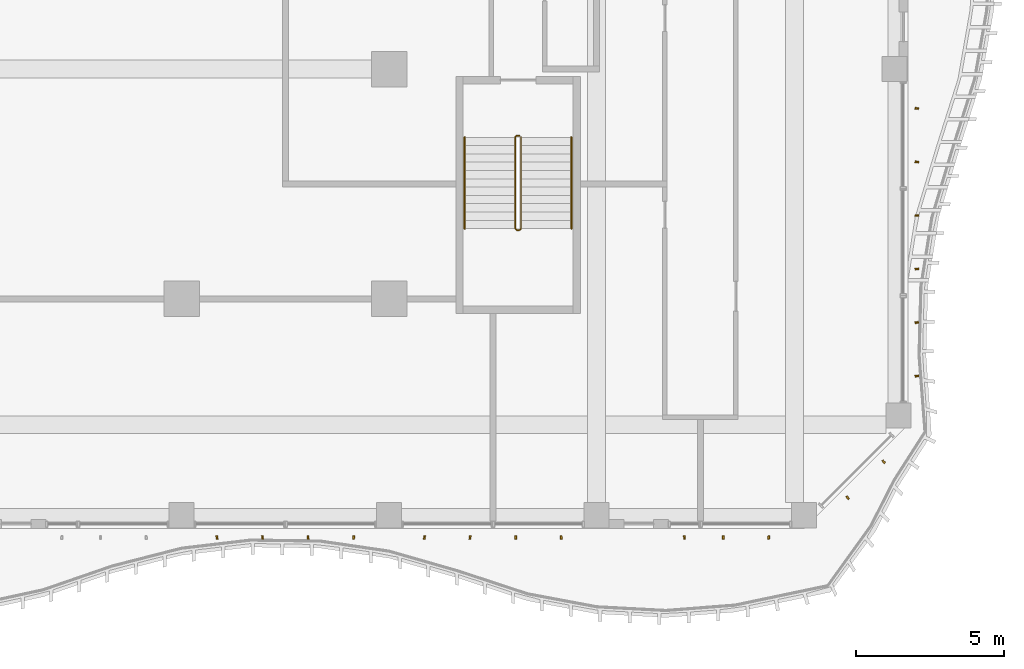
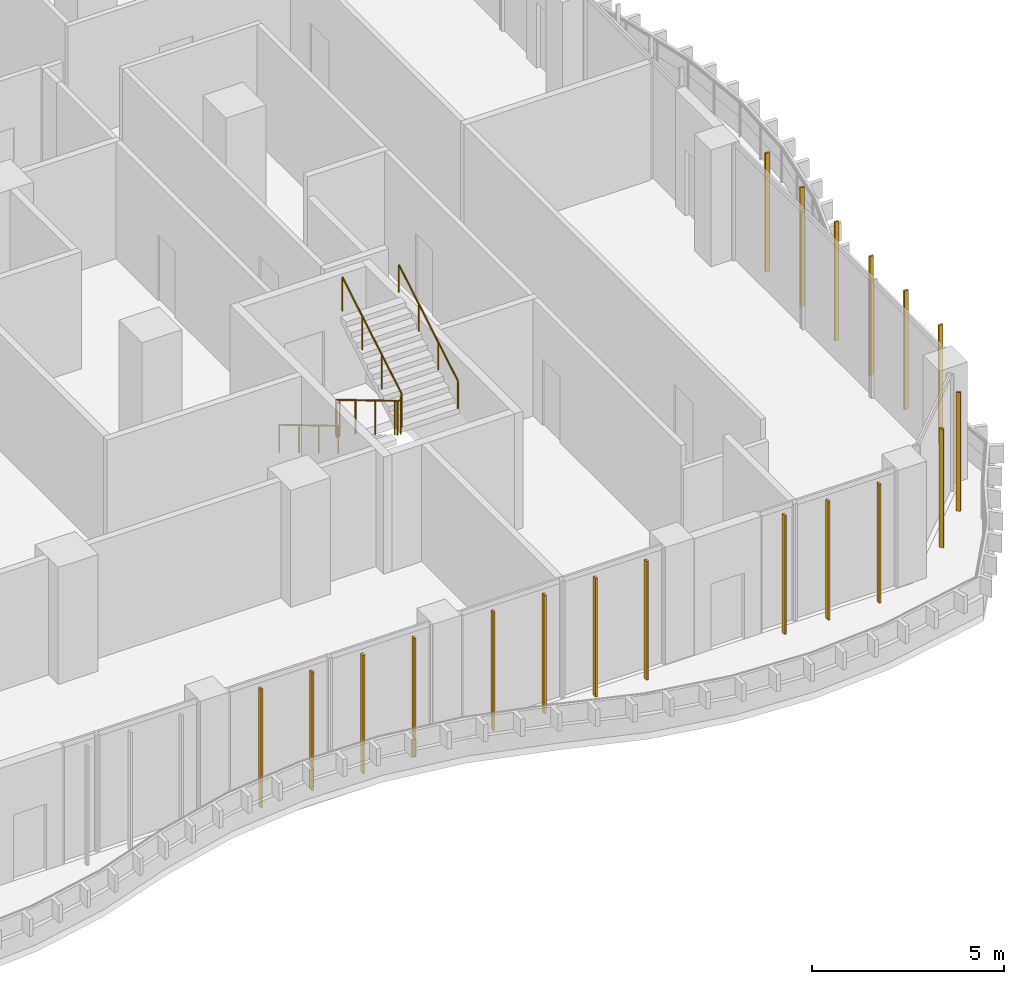
# One storey, part 22 of 25: 19 shading devices, 3 railings.
"""IFC4 building model written with IfcOpenShell, lengths in metres."""

from ifc_helpers import new_model, si_unit, direction, frame, origin, origin_2d, place, context, subcontext, project, spatial, rectangle, circle, extrude, source, transform, mapped, material, material_profile, profile_set, type_object, element, save


model = new_model("IFC4")

# Units and contexts
model_context = context("Model", 3, precision=1e-05, world=origin(), true_north=direction((0.0, 1.0)))
body_context = subcontext(model_context, "Body", "Model", "MODEL_VIEW")
ifc_project = project(units=[si_unit("LENGTHUNIT", "METRE"), si_unit("AREAUNIT", "SQUARE_METRE"), si_unit("VOLUMEUNIT", "CUBIC_METRE"), si_unit("PLANEANGLEUNIT", "RADIAN"), si_unit("MASSUNIT", "GRAM", prefix="KILO")], contexts=[model_context])

# Site, building, storey
site_placement = place(None, origin())
site = spatial("IfcSite", under=ifc_project, at=site_placement, CompositionType="ELEMENT")
building_placement = place(site_placement, origin())
building = spatial("IfcBuilding", under=site, at=building_placement, Name="Kilnfold Tower and Market Hall", CompositionType="ELEMENT")
storey_placement = place(building_placement, frame((0.0, 0.0, 120.60009765625)))
storey = spatial("IfcBuildingStorey", under=building, at=storey_placement, Name="L28", CompositionType="ELEMENT", Elevation=120.60009765625)

# Railings
ifc_material_1 = material(Name="Stainless steel 316", Category="steel")
railing_type_1 = type_object("IfcRailingType", Name="CORE STAIR GUARD 1100", PredefinedType="GUARDRAIL", material=ifc_material_1)
railing_1_placement = place(storey_placement, frame((19.89990234375, -9.75, 0.0)))
element("IfcRailing", 1, at=railing_1_placement, inside=storey, type_object=railing_type_1, Name="L28 ST4 stair guard 1", PredefinedType="GUARDRAIL", context=body_context, shape_type="SweptSolid", body=[
    extrude(circle(Radius=0.02392578125, at=origin_2d()), frame((0.0, 0.0, 1.076171875), z_axis=(-1.0, 0.0, 0.0), x_axis=(0.0, -1.0, 0.0)), (0.0, 0.0, 1.0), 0.099853515625),
    extrude(circle(Radius=0.02392578125, at=origin_2d()), frame((-0.099853515625, 0.0, 1.076171875), z_axis=(-0.27662974545, -0.27662974545, 0.920299933644), x_axis=(0.707106781187, -0.707106781187, 0.0)), (0.0, 0.0, 1.0), 0.180908203125),
    extrude(circle(Radius=0.02392578125, at=origin_2d()), frame((-0.14990234375, -0.050048828125, 1.24267578125), z_axis=(0.0, -0.859260807169, 0.511537745687), x_axis=(1.0, 0.0, 0.0)), (0.0, 0.0, 1.0), 3.584228515625),
    extrude(circle(Radius=0.02392578125, at=origin_2d()), frame((-0.14990234375, -3.1298828125, 3.076171875), z_axis=(0.707106781187, -0.707106781187, 0.0), x_axis=(0.707106781187, 0.707106781187, 0.0)), (0.0, 0.0, 1.0), 0.07080078125),
    extrude(circle(Radius=0.02392578125, at=origin_2d()), frame((-0.099853515625, -3.179931640625, 3.076171875), z_axis=(1.0, 0.0, 0.0), x_axis=(0.0, 1.0, 0.0)), (0.0, 0.0, 1.0), 0.099853515625),
    extrude(circle(Radius=0.02392578125, at=origin_2d()), frame((0.0, -3.179931640625, 3.076171875), z_axis=(0.27662974545, 0.27662974545, 0.920299933644), x_axis=(-0.707106781187, 0.707106781187, 0.0)), (0.0, 0.0, 1.0), 0.180908203125),
    extrude(circle(Radius=0.02392578125, at=origin_2d()), frame((0.050048828125, -3.1298828125, 3.24267578125), z_axis=(0.0, 0.859260807169, 0.511537745687), x_axis=(-1.0, 0.0, 0.0)), (0.0, 0.0, 1.0), 3.584228515625),
    extrude(circle(Radius=0.02099609375, at=origin_2d()), origin(), (0.0, 0.0, 1.0), 1.052001953125),
    extrude(circle(Radius=0.02099609375, at=origin_2d()), frame((-0.099853515625, 0.0, 0.0)), (0.0, 0.0, 1.0), 1.052001953125),
    extrude(circle(Radius=0.02099609375, at=origin_2d()), frame((-0.14990234375, -0.050048828125, 0.16650390625)), (0.0, 0.0, 1.0), 1.052001953125),
    extrude(circle(Radius=0.02099609375, at=origin_2d()), frame((-0.14990234375, -1.07666015625, 0.777587890625)), (0.0, 0.0, 1.0), 1.052001953125),
    extrude(circle(Radius=0.02099609375, at=origin_2d()), frame((-0.14990234375, -2.103271484375, 1.388916015625)), (0.0, 0.0, 1.0), 1.052001953125),
    extrude(circle(Radius=0.02099609375, at=origin_2d()), frame((-0.14990234375, -3.1298828125, 2.0)), (0.0, 0.0, 1.0), 1.052001953125),
    extrude(circle(Radius=0.02099609375, at=origin_2d()), frame((-0.099853515625, -3.179931640625, 2.0)), (0.0, 0.0, 1.0), 1.052001953125),
    extrude(circle(Radius=0.02099609375, at=origin_2d()), frame((0.0, -3.179931640625, 2.0)), (0.0, 0.0, 1.0), 1.052001953125),
    extrude(circle(Radius=0.02099609375, at=origin_2d()), frame((0.050048828125, -3.1298828125, 2.16650390625)), (0.0, 0.0, 1.0), 1.052001953125),
    extrude(circle(Radius=0.02099609375, at=origin_2d()), frame((0.050048828125, -2.103271484375, 2.777587890625)), (0.0, 0.0, 1.0), 1.052001953125),
    extrude(circle(Radius=0.02099609375, at=origin_2d()), frame((0.050048828125, -1.07666015625, 3.388916015625)), (0.0, 0.0, 1.0), 1.052001953125),
    extrude(circle(Radius=0.02099609375, at=origin_2d()), frame((0.050048828125, -0.050048828125, 4.0)), (0.0, 0.0, 1.0), 1.052001953125),
])
ifc_material_2 = material(Name="Stainless steel 316", Category="steel")
railing_type_2 = type_object("IfcRailingType", Name="CORE STAIR HANDRAIL 900", PredefinedType="HANDRAIL", material=ifc_material_2)
railing_2_placement = place(storey_placement, frame((18.050048828125, -9.800048828125, 0.16650390625)))
element("IfcRailing", 2, at=railing_2_placement, inside=storey, type_object=railing_type_2, Name="L28 ST4 stair handrail 1", PredefinedType="HANDRAIL", context=body_context, shape_type="SweptSolid", body=[
    extrude(circle(Radius=0.02392578125, at=origin_2d()), frame((0.0, 0.0, 0.8759765625), z_axis=(0.0, -0.859260807169, 0.511537745687), x_axis=(1.0, 0.0, 0.0)), (0.0, 0.0, 1.0), 3.584228515625),
    extrude(circle(Radius=0.02099609375, at=origin_2d()), origin(), (0.0, 0.0, 1.0), 0.851806640625),
    extrude(circle(Radius=0.02099609375, at=origin_2d()), frame((0.0, -1.026611328125, 0.611083984375)), (0.0, 0.0, 1.0), 0.851806640625),
    extrude(circle(Radius=0.02099609375, at=origin_2d()), frame((0.0, -2.05322265625, 1.222412109375)), (0.0, 0.0, 1.0), 0.851806640625),
    extrude(circle(Radius=0.02099609375, at=origin_2d()), frame((0.0, -3.079833984375, 1.83349609375)), (0.0, 0.0, 1.0), 0.851806640625),
])
railing_3_placement = place(storey_placement, frame((21.64990234375, -12.8798828125, 2.16650390625)))
element("IfcRailing", 3, at=railing_3_placement, inside=storey, type_object=railing_type_2, Name="L28 ST4 stair handrail 2", PredefinedType="HANDRAIL", context=body_context, shape_type="SweptSolid", body=[
    extrude(circle(Radius=0.02392578125, at=origin_2d()), frame((0.0, 0.0, 0.8759765625), z_axis=(0.0, 0.859260807169, 0.511537745687), x_axis=(-1.0, 0.0, 0.0)), (0.0, 0.0, 1.0), 3.584228515625),
    extrude(circle(Radius=0.02099609375, at=origin_2d()), origin(), (0.0, 0.0, 1.0), 0.851806640625),
    extrude(circle(Radius=0.02099609375, at=origin_2d()), frame((0.0, 1.026611328125, 0.611083984375)), (0.0, 0.0, 1.0), 0.851806640625),
    extrude(circle(Radius=0.02099609375, at=origin_2d()), frame((0.0, 2.05322265625, 1.222412109375)), (0.0, 0.0, 1.0), 0.851806640625),
    extrude(circle(Radius=0.02099609375, at=origin_2d()), frame((0.0, 3.079833984375, 1.83349609375)), (0.0, 0.0, 1.0), 0.851806640625),
])

# Shading devices
ifc_material_3 = material(Name="Terracotta", Category="masonry")
ifc_material_profile = material_profile(ifc_material_3, rectangle(XDim=0.06005859375, YDim=0.1201171875, at=origin_2d()), Name="BAG 60x120")
ifc_profile_set = profile_set([ifc_material_profile], Name="Terracotta")
shading_device_type = type_object("IfcShadingDeviceType", Name="BAGUETTE", PredefinedType="USERDEFINED", material=ifc_profile_set)
shared_shape = source(origin(), body_context, "Body", "SweptSolid", [
    extrude(rectangle(XDim=0.06005859375, YDim=0.1201171875, at=origin_2d()), origin(), (0.0, 0.0, 1.0), 3.77978515625),
])
for number, where, z_axis, x_axis, name in (
    (4, (9.69384765625, -23.300048828125, 0.0), (0.0, 0.0, 1.0), (0.9905109025, 0.137434173439, 0.0), "Terracotta baguette L28 S"),
    (5, (11.231201171875, -23.300048828125, 0.0), (0.0, 0.0, 1.0), (0.995745469951, 0.092146400207, 0.0), "Terracotta baguette L28 S"),
    (6, (12.768798828125, -23.300048828125, 0.0), (0.0, 0.0, 1.0), (0.999990033903, 0.004464537395, 0.0), "Terracotta baguette L28 S"),
    (7, (14.306396484375, -23.300048828125, 0.0), (0.0, 0.0, 1.0), (0.996356319849, -0.085288240082, 0.0), "Terracotta baguette L28 S"),
    (8, (16.693603515625, -23.300048828125, 0.0), (0.0, 0.0, 1.0), (0.9905109025, -0.137434173439, 0.0), "Terracotta baguette L28 S"),
    (9, (18.231201171875, -23.300048828125, 0.0), (0.0, 0.0, 1.0), (0.995745469951, -0.092146400207, 0.0), "Terracotta baguette L28 S"),
    (10, (19.768798828125, -23.300048828125, 0.0), (0.0, 0.0, 1.0), (0.999990033903, -0.004464537395, 0.0), "Terracotta baguette L28 S"),
    (11, (21.306396484375, -23.300048828125, 0.0), (0.0, 0.0, 1.0), (0.996356319849, 0.085288240082, 0.0), "Terracotta baguette L28 S"),
    (12, (25.46240234375, -23.300048828125, 0.0), (0.0, 0.0, 1.0), (0.996727303692, 0.080837380425, 0.0), "Terracotta baguette L28 S"),
    (13, (26.768798828125, -23.300048828125, 0.0), (0.0, 0.0, 1.0), (0.999990033903, 0.004464537395, 0.0), "Terracotta baguette L28 S"),
    (14, (28.306396484375, -23.300048828125, 0.0), (0.0, 0.0, 1.0), (0.996356319849, -0.085288240082, 0.0), "Terracotta baguette L28 S"),
    (15, (30.968505859375, -21.955810546875, 0.0), (0.0, 0.0, 1.0), (0.791261954783, 0.611477324938, 0.0), "Terracotta baguette L28 SE"),
    (16, (32.180908203125, -20.743408203125, 0.0), (0.0, 0.0, 1.0), (0.742839938693, 0.669469062379, 0.0), "Terracotta baguette L28 SE"),
    (17, (33.300048828125, -17.854248046875, 0.0), (0.0, 0.0, 1.0), (-0.118135340956, 0.992997503127, 0.0), "Terracotta baguette L28 E"),
    (18, (33.300048828125, -16.048828125, 0.0), (0.0, 0.0, 1.0), (-0.134814613051, 0.990870839266, 0.0), "Terracotta baguette L28 E"),
    (19, (33.300048828125, -14.243408203125, 0.0), (0.0, 0.0, 1.0), (-0.067970017119, 0.997687364244, 0.0), "Terracotta baguette L28 E"),
    (20, (33.300048828125, -12.438232421875, 0.0), (0.0, 0.0, 1.0), (0.04143272486, 0.999141295969, 0.0), "Terracotta baguette L28 E"),
    (21, (33.300048828125, -10.6328125, 0.0), (0.0, 0.0, 1.0), (0.124834526511, 0.992177575332, 0.0), "Terracotta baguette L28 E"),
    (22, (33.300048828125, -8.82763671875, 0.0), (0.0, 0.0, 1.0), (0.130737297781, 0.991417045934, 0.0), "Terracotta baguette L28 E"),
):
    element("IfcShadingDevice", number, at=place(storey_placement, frame(where, z_axis=z_axis, x_axis=x_axis)), inside=storey, type_object=shading_device_type, Name=name, ObjectType="BAGUETTE", PredefinedType="USERDEFINED", context=body_context, shape_type="MappedRepresentation", body=[
        mapped(shared_shape, transform((0.0, 0.0, 0.0))),
    ])

save(model, "model.ifc")
